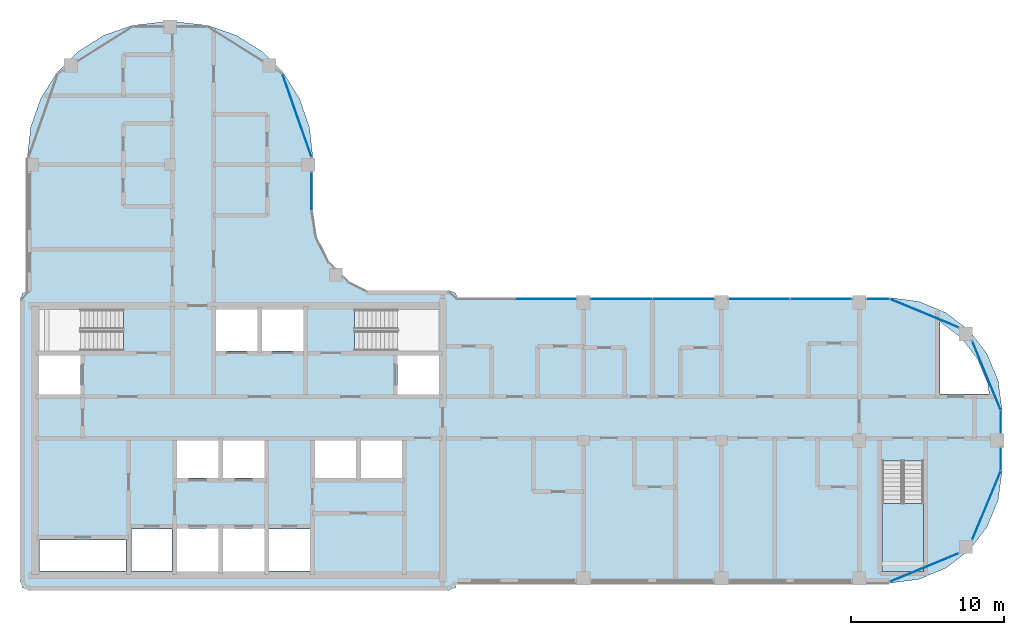
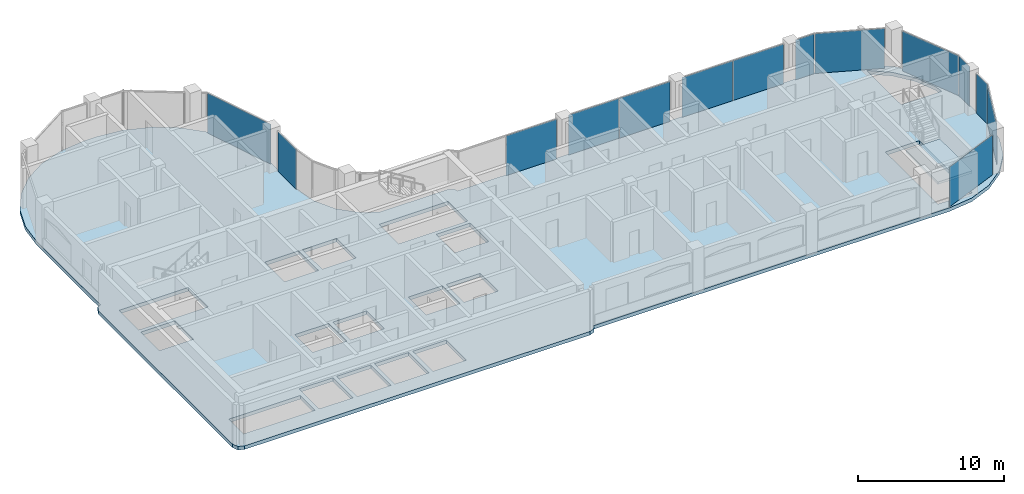
# One storey, part 7 of 17: 14 plates, 2 slabs, 13 elements without a shape of their own.
"""IFC4 building model written with IfcOpenShell, lengths in metres."""

from ifc_helpers import new_model, si_unit, direction, frame, origin, origin_2d, place, context, subcontext, project, spatial, polyline, rectangle, outline, extrude, material, layer, layer_set, type_object, element, aggregate, save


model = new_model("IFC4")

# Units and contexts
model_context = context("Model", 3, precision=1e-05, world=origin(), true_north=direction((0.0, 1.0)))
body_context = subcontext(model_context, "Body", "Model", "MODEL_VIEW")
ifc_project = project(units=[si_unit("LENGTHUNIT", "METRE"), si_unit("AREAUNIT", "SQUARE_METRE"), si_unit("VOLUMEUNIT", "CUBIC_METRE"), si_unit("PLANEANGLEUNIT", "RADIAN"), si_unit("MASSUNIT", "GRAM", prefix="KILO")], contexts=[model_context])

# Site, building, storey
site_placement = place(None, origin())
site = spatial("IfcSite", under=ifc_project, at=site_placement, CompositionType="ELEMENT")
building_placement = place(site_placement, origin())
building = spatial("IfcBuilding", under=site, at=building_placement, Name="Ogive Portal Towers", CompositionType="ELEMENT")
storey_placement = place(building_placement, frame((0.0, 0.0, 221.699951171875)))
storey = spatial("IfcBuildingStorey", under=building, at=storey_placement, Name="L55", CompositionType="ELEMENT", Elevation=221.699951171875)

# Curtain wall, plate
ifc_material_1 = material(Name="Glass, clear low-iron insulated glazing", Category="glass")
curtain_wall_type = type_object("IfcCurtainWallType", Name="CW FRONT RIBBON 4500", PredefinedType="NOTDEFINED", material=ifc_material_1)
curtain_wall_1_placement = place(storey_placement, origin())
curtain_wall_1 = element("IfcCurtainWall", 1, at=curtain_wall_1_placement, inside=storey, type_object=curtain_wall_type, Name="A:L55:f06:cw0", PredefinedType="NOTDEFINED")
ifc_layer_1 = layer(ifc_material_1, 0.028076171875)
ifc_layer_set_1 = layer_set([ifc_layer_1], Name="CW PANEL IGU 28")
plate_type = type_object("IfcPlateType", Name="CW PANEL IGU 28", PredefinedType="CURTAIN_PANEL", material=ifc_layer_set_1)
plate_1_placement = place(storey_placement, frame((49.739990234375, 46.77197265625, 0.0), z_axis=(0.0, 0.0, 1.0), x_axis=(0.0, 1.0, 0.0)))
plate_1 = element("IfcPlate", 2, at=plate_1_placement, type_object=plate_type, Name="panel", PredefinedType="CURTAIN_PANEL", context=body_context, shape_type="SweptSolid", body=[
    extrude(rectangle(XDim=2.496337890625, YDim=0.028076171875, at=origin_2d()), origin(), (0.0, 0.0, 1.0), 3.340087890625),
])
aggregate(curtain_wall_1, [plate_1])

curtain_wall_2_placement = place(storey_placement, origin())
curtain_wall_2 = element("IfcCurtainWall", 3, at=curtain_wall_2_placement, inside=storey, type_object=curtain_wall_type, Name="A:L55:f23:cw0~0", PredefinedType="NOTDEFINED")
plate_2_placement = place(storey_placement, frame((94.739990234375, 29.282958984375, 0.0), z_axis=(0.0, 0.0, 1.0), x_axis=(0.0, 1.0, 0.0)))
plate_2 = element("IfcPlate", 4, at=plate_2_placement, type_object=plate_type, Name="panel", PredefinedType="CURTAIN_PANEL", context=body_context, shape_type="SweptSolid", body=[
    extrude(rectangle(XDim=1.47412109375, YDim=0.028076171875, at=origin_2d()), origin(), (0.0, 0.0, 1.0), 3.340087890625),
])
aggregate(curtain_wall_2, [plate_2])

curtain_wall_3_placement = place(storey_placement, origin())
curtain_wall_3 = element("IfcCurtainWall", 5, at=curtain_wall_3_placement, inside=storey, type_object=curtain_wall_type, Name="A:L55:f23:cw0~1", PredefinedType="NOTDEFINED")
plate_3_placement = place(storey_placement, frame((94.739990234375, 31.717041015625, 0.0), z_axis=(0.0, 0.0, 1.0), x_axis=(0.0, 1.0, 0.0)))
plate_3 = element("IfcPlate", 6, at=plate_3_placement, type_object=plate_type, Name="panel", PredefinedType="CURTAIN_PANEL", context=body_context, shape_type="SweptSolid", body=[
    extrude(rectangle(XDim=1.47412109375, YDim=0.028076171875, at=origin_2d()), origin(), (0.0, 0.0, 1.0), 3.340087890625),
])
aggregate(curtain_wall_3, [plate_3])

curtain_wall_4_placement = place(storey_placement, origin())
curtain_wall_4 = element("IfcCurtainWall", 7, at=curtain_wall_4_placement, inside=storey, type_object=curtain_wall_type, Name="A:L55:f26:cw0~0", PredefinedType="NOTDEFINED")
plate_4_placement = place(storey_placement, frame((86.717041015625, 39.739990234375, 0.0), z_axis=(0.0, 0.0, 1.0), x_axis=(-1.0, 0.0, 0.0)))
plate_4 = element("IfcPlate", 8, at=plate_4_placement, type_object=plate_type, Name="panel", PredefinedType="CURTAIN_PANEL", context=body_context, shape_type="SweptSolid", body=[
    extrude(rectangle(XDim=1.47412109375, YDim=0.028076171875, at=origin_2d()), origin(), (0.0, 0.0, 1.0), 3.340087890625),
])
aggregate(curtain_wall_4, [plate_4])

# Curtain wall, plates
curtain_wall_5_placement = place(storey_placement, origin())
curtain_wall_5 = element("IfcCurtainWall", 9, at=curtain_wall_5_placement, inside=storey, type_object=curtain_wall_type, Name="A:L55:f26:cw0~1", PredefinedType="NOTDEFINED")
plate_5_placement = place(storey_placement, frame((83.02490234375, 39.739990234375, 0.0), z_axis=(0.0, 0.0, 1.0), x_axis=(-1.0, 0.0, 0.0)))
plate_5 = element("IfcPlate", 10, at=plate_5_placement, type_object=plate_type, Name="panel", PredefinedType="CURTAIN_PANEL", context=body_context, shape_type="SweptSolid", body=[
    extrude(rectangle(XDim=3.989990234375, YDim=0.028076171875, at=origin_2d()), origin(), (0.0, 0.0, 1.0), 3.340087890625),
])
plate_6_placement = place(storey_placement, frame((78.97509765625, 39.739990234375, 0.0), z_axis=(0.0, 0.0, 1.0), x_axis=(-1.0, 0.0, 0.0)))
plate_6 = element("IfcPlate", 11, at=plate_6_placement, type_object=plate_type, Name="panel", PredefinedType="CURTAIN_PANEL", context=body_context, shape_type="SweptSolid", body=[
    extrude(rectangle(XDim=3.989990234375, YDim=0.028076171875, at=origin_2d()), origin(), (0.0, 0.0, 1.0), 3.340087890625),
])
aggregate(curtain_wall_5, [plate_5, plate_6])

curtain_wall_6_placement = place(storey_placement, origin())
curtain_wall_6 = element("IfcCurtainWall", 12, at=curtain_wall_6_placement, inside=storey, type_object=curtain_wall_type, Name="A:L55:f26:cw0~2", PredefinedType="NOTDEFINED")
plate_7_placement = place(storey_placement, frame((74.02490234375, 39.739990234375, 0.0), z_axis=(0.0, 0.0, 1.0), x_axis=(-1.0, 0.0, 0.0)))
plate_7 = element("IfcPlate", 13, at=plate_7_placement, type_object=plate_type, Name="panel", PredefinedType="CURTAIN_PANEL", context=body_context, shape_type="SweptSolid", body=[
    extrude(rectangle(XDim=3.989990234375, YDim=0.028076171875, at=origin_2d()), origin(), (0.0, 0.0, 1.0), 3.340087890625),
])
plate_8_placement = place(storey_placement, frame((69.97509765625, 39.739990234375, 0.0), z_axis=(0.0, 0.0, 1.0), x_axis=(-1.0, 0.0, 0.0)))
plate_8 = element("IfcPlate", 14, at=plate_8_placement, type_object=plate_type, Name="panel", PredefinedType="CURTAIN_PANEL", context=body_context, shape_type="SweptSolid", body=[
    extrude(rectangle(XDim=3.989990234375, YDim=0.028076171875, at=origin_2d()), origin(), (0.0, 0.0, 1.0), 3.340087890625),
])
aggregate(curtain_wall_6, [plate_7, plate_8])

# Curtain wall, plate
curtain_wall_7_placement = place(storey_placement, origin())
curtain_wall_7 = element("IfcCurtainWall", 15, at=curtain_wall_7_placement, inside=storey, type_object=curtain_wall_type, Name="A:L55:f26:cw0~3", PredefinedType="NOTDEFINED")
plate_9_placement = place(storey_placement, frame((65.02490234375, 39.739990234375, 0.0), z_axis=(0.0, 0.0, 1.0), x_axis=(-1.0, 0.0, 0.0)))
plate_9 = element("IfcPlate", 16, at=plate_9_placement, type_object=plate_type, Name="panel", PredefinedType="CURTAIN_PANEL", context=body_context, shape_type="SweptSolid", body=[
    extrude(rectangle(XDim=3.989990234375, YDim=0.028076171875, at=origin_2d()), origin(), (0.0, 0.0, 1.0), 3.340087890625),
])
aggregate(curtain_wall_7, [plate_9])

curtain_wall_8_placement = place(storey_placement, origin())
curtain_wall_8 = element("IfcCurtainWall", 17, at=curtain_wall_8_placement, inside=storey, type_object=curtain_wall_type, Name="A:L55:f07:cwa~0", PredefinedType="NOTDEFINED")
plate_10_placement = place(storey_placement, frame((48.78466796875, 51.71630859375, 0.0), z_axis=(0.0, 0.0, 1.0), x_axis=(-0.33027906196, 0.943883330307, 0.0)))
plate_10 = element("IfcPlate", 18, at=plate_10_placement, type_object=plate_type, Name="panel", PredefinedType="CURTAIN_PANEL", context=body_context, shape_type="SweptSolid", body=[
    extrude(rectangle(XDim=5.724609375, YDim=0.028076171875, at=origin_2d()), origin(), (0.0, 0.0, 1.0), 3.340087890625),
])
aggregate(curtain_wall_8, [plate_10])

curtain_wall_9_placement = place(storey_placement, origin())
curtain_wall_9 = element("IfcCurtainWall", 19, at=curtain_wall_9_placement, inside=storey, type_object=curtain_wall_type, Name="A:L55:f21:cwa~0", PredefinedType="NOTDEFINED")
plate_11_placement = place(storey_placement, frame((89.741943359375, 22.1953125, 0.0), z_axis=(0.0, 0.0, 1.0), x_axis=(0.923879532511, 0.382683432365, 0.0)))
plate_11 = element("IfcPlate", 20, at=plate_11_placement, type_object=plate_type, Name="panel", PredefinedType="CURTAIN_PANEL", context=body_context, shape_type="SweptSolid", body=[
    extrude(rectangle(XDim=4.827880859375, YDim=0.028076171875, at=origin_2d()), origin(), (0.0, 0.0, 1.0), 3.340087890625),
])
aggregate(curtain_wall_9, [plate_11])

curtain_wall_10_placement = place(storey_placement, origin())
curtain_wall_10 = element("IfcCurtainWall", 21, at=curtain_wall_10_placement, inside=storey, type_object=curtain_wall_type, Name="A:L55:f21:cwa~1", PredefinedType="NOTDEFINED")
plate_12_placement = place(storey_placement, frame((93.8046875, 26.258056640625, 0.0), z_axis=(0.0, 0.0, 1.0), x_axis=(0.382683432365, 0.923879532511, 0.0)))
plate_12 = element("IfcPlate", 22, at=plate_12_placement, type_object=plate_type, Name="panel", PredefinedType="CURTAIN_PANEL", context=body_context, shape_type="SweptSolid", body=[
    extrude(rectangle(XDim=4.827880859375, YDim=0.028076171875, at=origin_2d()), origin(), (0.0, 0.0, 1.0), 3.340087890625),
])
aggregate(curtain_wall_10, [plate_12])

curtain_wall_11_placement = place(storey_placement, origin())
curtain_wall_11 = element("IfcCurtainWall", 23, at=curtain_wall_11_placement, inside=storey, type_object=curtain_wall_type, Name="A:L55:f24:cwa~0", PredefinedType="NOTDEFINED")
plate_13_placement = place(storey_placement, frame((93.8046875, 34.741943359375, 0.0), z_axis=(0.0, 0.0, 1.0), x_axis=(-0.382683432365, 0.923879532511, 0.0)))
plate_13 = element("IfcPlate", 24, at=plate_13_placement, type_object=plate_type, Name="panel", PredefinedType="CURTAIN_PANEL", context=body_context, shape_type="SweptSolid", body=[
    extrude(rectangle(XDim=4.827880859375, YDim=0.028076171875, at=origin_2d()), origin(), (0.0, 0.0, 1.0), 3.340087890625),
])
aggregate(curtain_wall_11, [plate_13])

curtain_wall_12_placement = place(storey_placement, origin())
curtain_wall_12 = element("IfcCurtainWall", 25, at=curtain_wall_12_placement, inside=storey, type_object=curtain_wall_type, Name="A:L55:f24:cwa~1", PredefinedType="NOTDEFINED")
plate_14_placement = place(storey_placement, frame((89.741943359375, 38.8046875, 0.0), z_axis=(0.0, 0.0, 1.0), x_axis=(-0.923879532511, 0.382683432365, 0.0)))
plate_14 = element("IfcPlate", 26, at=plate_14_placement, type_object=plate_type, Name="panel", PredefinedType="CURTAIN_PANEL", context=body_context, shape_type="SweptSolid", body=[
    extrude(rectangle(XDim=4.827880859375, YDim=0.028076171875, at=origin_2d()), origin(), (0.0, 0.0, 1.0), 3.340087890625),
])
aggregate(curtain_wall_12, [plate_14])

# Stair, slab
ifc_material_2 = material(Name="Concrete C40/50", Category="concrete")
stair_type = type_object("IfcStairType", Name="INT-STAIR", PredefinedType="HALF_TURN_STAIR", material=ifc_material_2)
stair_placement = place(storey_placement, origin())
stair = element("IfcStair", 27, at=stair_placement, inside=storey, type_object=stair_type, Name="L55 Exit Stair ST-A4", PredefinedType="HALF_TURN_STAIR")
ifc_layer_2 = layer(ifc_material_2, 0.199951171875)
ifc_layer_set_2 = layer_set([ifc_layer_2], Name="INT-LANDING")
slab_type_1 = type_object("IfcSlabType", Name="INT-LANDING", PredefinedType="LANDING", material=ifc_layer_set_2)
slab_1_placement = place(storey_placement, frame((0.0, 0.0, 1.650146484375)))
slab_1 = element("IfcSlab", 28, at=slab_1_placement, type_object=slab_type_1, Name="ST-A4 landing 1", PredefinedType="LANDING", context=body_context, shape_type="SweptSolid", body=[
    extrude(outline(polyline([(87.0, 26.3701171875), (87.0, 21.949951171875), (89.699951171875, 21.949951171875), (89.699951171875, 26.3701171875), (87.0, 26.3701171875)])), origin(), (0.0, 0.0, 1.0), 0.199951171875),
])
aggregate(stair, [slab_1])

# Slab
ifc_material_3 = material(Name="Concrete C45/55", Category="concrete")
ifc_layer_3 = layer(ifc_material_3, 0.300048828125)
ifc_layer_set_3 = layer_set([ifc_layer_3], Name="PT FLAT PLATE 300")
slab_type_2 = type_object("IfcSlabType", Name="PT FLAT PLATE 300", PredefinedType="FLOOR", material=ifc_layer_set_3)
slab_2_placement = place(storey_placement, frame((0.0, 0.0, -0.300048828125)))
element("IfcSlab", 29, at=slab_2_placement, inside=storey, type_object=slab_type_2, Name="Floor slab L55", PredefinedType="FLOOR", context=body_context, shape_type="SweptSolid", body=[
    extrude(outline(polyline([(89.39453125, 39.570556640625), (87.5, 39.820068359375), (59.250244140625, 39.820068359375), (59.124267578125, 40.124267578125), (58.699951171875, 40.300048828125), (53.348388671875, 40.300048828125), (52.161376953125, 40.90478515625), (50.90478515625, 42.161376953125), (50.097900390625, 43.744873046875), (49.820068359375, 45.5), (49.820068359375, 49.0), (49.598876953125, 50.962646484375), (48.946533203125, 52.826904296875), (47.895751953125, 54.499267578125), (46.499267578125, 55.895751953125), (44.826904296875, 56.946533203125), (42.962646484375, 57.598876953125), (41.0, 57.820068359375), (40.0, 57.820068359375), (38.037353515625, 57.598876953125), (36.173095703125, 56.946533203125), (34.500732421875, 55.895751953125), (33.104248046875, 54.499267578125), (32.053466796875, 52.826904296875), (31.401123046875, 50.962646484375), (31.179931640625, 49.0), (31.179931640625, 40.250244140625), (30.875732421875, 40.124267578125), (30.699951171875, 39.699951171875), (30.699951171875, 21.300048828125), (30.875732421875, 20.875732421875), (31.300048828125, 20.699951171875), (58.699951171875, 20.699951171875), (59.124267578125, 20.875732421875), (59.250244140625, 21.179931640625), (87.5, 21.179931640625), (89.39453125, 21.429443359375), (91.159912109375, 22.16064453125), (92.676025390625, 23.323974609375), (93.83935546875, 24.840087890625), (94.570556640625, 26.60546875), (94.820068359375, 28.5), (94.820068359375, 32.5), (94.570556640625, 34.39453125), (93.83935546875, 36.159912109375), (92.676025390625, 37.676025390625), (91.159912109375, 38.83935546875), (89.39453125, 39.570556640625)]), holes=[polyline([(37.6298828125, 21.969970703125), (31.969970703125, 21.969970703125), (31.969970703125, 24.0029296875), (37.6298828125, 24.0029296875), (37.6298828125, 21.969970703125)]), polyline([(40.6298828125, 21.969970703125), (37.969970703125, 21.969970703125), (37.969970703125, 24.72998046875), (40.6298828125, 24.72998046875), (40.6298828125, 21.969970703125)]), polyline([(43.64990234375, 24.75), (43.64990234375, 21.949951171875), (40.949951171875, 21.949951171875), (40.949951171875, 24.75), (43.64990234375, 24.75)]), polyline([(46.64990234375, 24.75), (46.64990234375, 21.949951171875), (43.949951171875, 21.949951171875), (43.949951171875, 24.75), (46.64990234375, 24.75)]), polyline([(43.64990234375, 30.5), (43.64990234375, 28.050048828125), (40.949951171875, 28.050048828125), (40.949951171875, 30.5), (43.64990234375, 30.5)]), polyline([(46.64990234375, 30.5), (46.64990234375, 28.050048828125), (43.949951171875, 28.050048828125), (43.949951171875, 30.5), (46.64990234375, 30.5)]), polyline([(34.64990234375, 36.050048828125), (34.64990234375, 33.5), (31.949951171875, 33.5), (31.949951171875, 36.050048828125), (34.64990234375, 36.050048828125)]), polyline([(31.951904296875, 39.048095703125), (37.447998046875, 39.048095703125), (37.447998046875, 36.35205078125), (31.951904296875, 36.35205078125), (31.951904296875, 39.048095703125)]), polyline([(46.199951171875, 39.050048828125), (46.199951171875, 36.35009765625), (43.5, 36.35009765625), (43.5, 39.050048828125), (46.199951171875, 39.050048828125)]), polyline([(49.6298828125, 21.969970703125), (46.969970703125, 21.969970703125), (46.969970703125, 24.72998046875), (49.6298828125, 24.72998046875), (49.6298828125, 21.969970703125)]), polyline([(87.001953125, 21.951904296875), (87.001953125, 29.16796875), (89.697998046875, 29.16796875), (89.697998046875, 21.951904296875), (87.001953125, 21.951904296875)]), polyline([(52.64990234375, 30.5), (52.64990234375, 28.050048828125), (49.949951171875, 28.050048828125), (49.949951171875, 30.5), (52.64990234375, 30.5)]), polyline([(55.64990234375, 30.5), (55.64990234375, 28.050048828125), (52.949951171875, 28.050048828125), (52.949951171875, 30.5), (55.64990234375, 30.5)]), polyline([(58.050048828125, 36.050048828125), (58.050048828125, 33.5), (55.35009765625, 33.5), (55.35009765625, 36.050048828125), (58.050048828125, 36.050048828125)]), polyline([(92.1767578125, 37.1767578125), (93.227783203125, 35.806884765625), (93.888671875, 34.2119140625), (93.979736328125, 33.52001953125), (90.77001953125, 33.52001953125), (90.77001953125, 38.2431640625), (90.806884765625, 38.227783203125), (92.1767578125, 37.1767578125)]), polyline([(49.199951171875, 36.35009765625), (46.5, 36.35009765625), (46.5, 39.050048828125), (49.199951171875, 39.050048828125), (49.199951171875, 36.35009765625)]), polyline([(52.552001953125, 36.35205078125), (52.552001953125, 39.048095703125), (58.048095703125, 39.048095703125), (58.048095703125, 36.35205078125), (52.552001953125, 36.35205078125)])]), origin(), (0.0, 0.0, 1.0), 0.300048828125),
])

save(model, "model.ifc")
